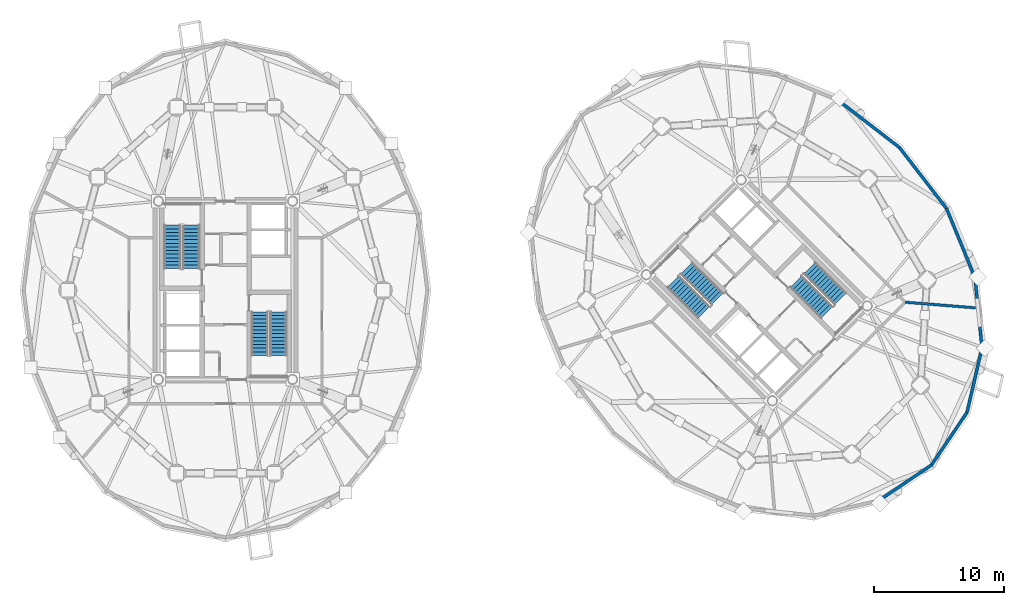
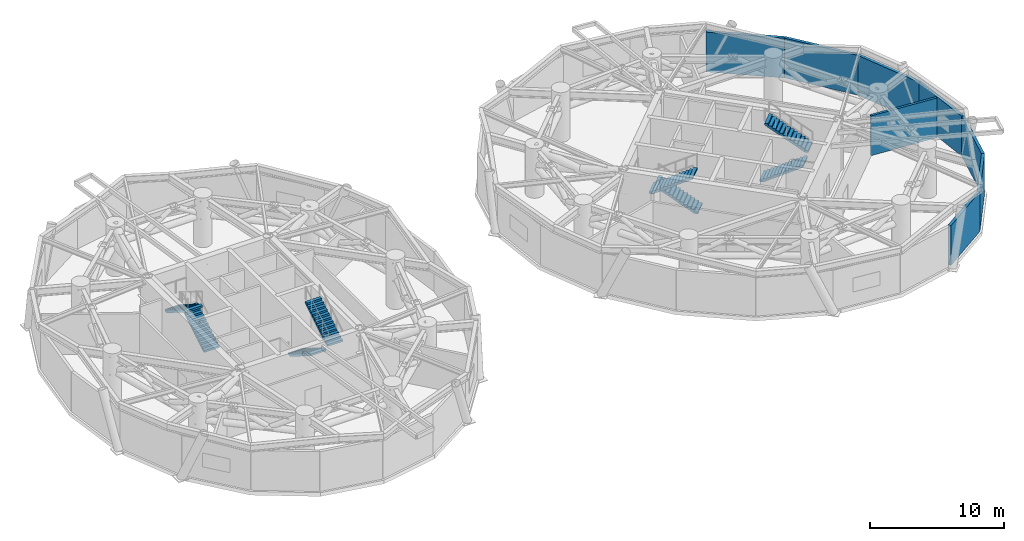
# One storey, part 13 of 16: 8 stair flights, 8 walls, 4 elements without a shape of their own.
"""IFC4 building model written with IfcOpenShell, lengths in metres."""

from ifc_helpers import new_model, si_unit, direction, frame, frame_2d, origin, place, context, subcontext, project, spatial, polyline, rectangle, outline, extrude, material, layer, layer_set, type_object, element, aggregate, save


model = new_model("IFC4")

# Units and contexts
model_context = context("Model", 3, precision=1e-05, world=origin(), true_north=direction((0.0, 1.0)))
body_context = subcontext(model_context, "Body", "Model", "MODEL_VIEW")
ifc_project = project(units=[si_unit("LENGTHUNIT", "METRE"), si_unit("AREAUNIT", "SQUARE_METRE"), si_unit("VOLUMEUNIT", "CUBIC_METRE"), si_unit("PLANEANGLEUNIT", "RADIAN"), si_unit("MASSUNIT", "GRAM", prefix="KILO")], contexts=[model_context])

# Site, building, storey
site_placement = place(None, origin())
site = spatial("IfcSite", under=ifc_project, at=site_placement, CompositionType="ELEMENT")
building_placement = place(site_placement, origin())
building = spatial("IfcBuilding", under=site, at=building_placement, Name="Cununo Teusaquillo Station Towers", CompositionType="ELEMENT")
storey_placement = place(building_placement, frame((0.0, 0.0, 65.64990234375)))
storey = spatial("IfcBuildingStorey", under=building, at=storey_placement, Name="L20", CompositionType="ELEMENT", Elevation=65.64990234375)

# Walls
ifc_material_1 = material(Name="Precast concrete C40/50", Category="concrete")
ifc_layer_1 = layer(ifc_material_1, 0.239990234375)
ifc_layer_set_1 = layer_set([ifc_layer_1], Name="Precast concrete C40/50")
wall_type_1 = type_object("IfcWallType", Name="WL-EXT-240", PredefinedType="SOLIDWALL", material=ifc_layer_set_1)
wall_1_placement = place(storey_placement, frame((63.811279296875, 39.145263671875, 0.0), z_axis=(0.0, 0.0, 1.0), x_axis=(0.791982052206, -0.61054437102, 0.0)))
element("IfcWall", 1, at=wall_1_placement, inside=storey, type_object=wall_type_1, Name="L20 Tower B Exterior Facade Wall C00", PredefinedType="SOLIDWALL", context=body_context, shape_type="SweptSolid", body=[
    extrude(rectangle(XDim=5.942138671875, YDim=0.239990234375, at=frame_2d((2.97119140625, 0.0))), origin(), (0.0, 0.0, 1.0), 3.6162109375),
])
for number, where, z_axis, x_axis, name in (
    (2, (70.984619140625, 11.015380859375, 0.0), (0.0, 0.0, 1.0), (-0.828781148131, -0.559572880421, 0.0), "L20 Tower B Exterior Facade Wall C14"),
    (3, (73.72900390625, 15.080078125, 0.0), (0.0, 0.0, 1.0), (-0.559572880421, -0.828781148131, 0.0), "L20 Tower B Exterior Facade Wall C15"),
):
    element("IfcWall", number, at=place(storey_placement, frame(where, z_axis=z_axis, x_axis=x_axis)), inside=storey, type_object=wall_type_1, Name=name, PredefinedType="SOLIDWALL", context=body_context, shape_type="SweptSolid", body=[
        extrude(rectangle(XDim=4.904541015625, YDim=0.239990234375, at=frame_2d((2.4521484375, 0.0))), origin(), (0.0, 0.0, 1.0), 3.6162109375),
    ])
wall_2_placement = place(storey_placement, frame((74.885009765625, 20.066650390625, 0.0), z_axis=(0.0, 0.0, 1.0), x_axis=(-0.225834725257, -0.974165631126, 0.0)))
element("IfcWall", 4, at=wall_2_placement, inside=storey, type_object=wall_type_1, Name="L20 Tower B Exterior Facade Wall C16", PredefinedType="SOLIDWALL", context=body_context, shape_type="SweptSolid", body=[
    extrude(rectangle(XDim=5.118896484375, YDim=0.239990234375, at=frame_2d((2.5595703125, 0.0))), origin(), (0.0, 0.0, 1.0), 3.6162109375),
])
wall_3_placement = place(storey_placement, frame((74.33935546875, 25.4873046875, 0.0), z_axis=(0.0, 0.0, 1.0), x_axis=(0.10015591906, -0.994971754311, 0.0)))
element("IfcWall", 5, at=wall_3_placement, inside=storey, type_object=wall_type_1, Name="L20 Tower B Exterior Facade Wall C17", PredefinedType="SOLIDWALL", context=body_context, shape_type="SweptSolid", body=[
    extrude(rectangle(XDim=5.447998046875, YDim=0.239990234375, at=frame_2d((2.72412109375, 0.0))), origin(), (0.0, 0.0, 1.0), 3.6162109375),
])
wall_4_placement = place(storey_placement, frame((72.145263671875, 30.811279296875, 0.0), z_axis=(0.0, 0.0, 1.0), x_axis=(0.381027003055, -0.924563909604, 0.0)))
element("IfcWall", 6, at=wall_4_placement, inside=storey, type_object=wall_type_1, Name="L20 Tower B Exterior Facade Wall C18", PredefinedType="SOLIDWALL", context=body_context, shape_type="SweptSolid", body=[
    extrude(rectangle(XDim=5.75830078125, YDim=0.239990234375, at=frame_2d((2.879150390625, 0.0))), origin(), (0.0, 0.0, 1.0), 3.6162109375),
])
wall_5_placement = place(storey_placement, frame((68.517333984375, 35.517333984375, 0.0), z_axis=(0.0, 0.0, 1.0), x_axis=(0.61054437102, -0.791982052206, 0.0)))
element("IfcWall", 7, at=wall_5_placement, inside=storey, type_object=wall_type_1, Name="L20 Tower B Exterior Facade Wall C19", PredefinedType="SOLIDWALL", context=body_context, shape_type="SweptSolid", body=[
    extrude(rectangle(XDim=5.942138671875, YDim=0.239990234375, at=frame_2d((2.97119140625, 0.0))), origin(), (0.0, 0.0, 1.0), 3.6162109375),
])
ifc_material_2 = material(Name="Fire-rated gypsum plasterboard partition assembly", Category="gypsum")
ifc_layer_2 = layer(ifc_material_2, 0.199951171875)
ifc_layer_set_2 = layer_set([ifc_layer_2], Name="Fire-rated gypsum plasterboard partition assembly")
wall_type_2 = type_object("IfcWallType", Name="WL-PART-200", PredefinedType="PARTITIONING", material=ifc_layer_set_2)
wall_6_placement = place(storey_placement, frame((68.955078125, 23.580810546875, 0.0), z_axis=(0.0, 0.0, 1.0), x_axis=(0.996796412899, -0.079980692863, 0.0)))
element("IfcWall", 8, at=wall_6_placement, inside=storey, type_object=wall_type_2, Name="L20 Tower B Compartment Radial Fire Wall Q3", PredefinedType="PARTITIONING", context=body_context, shape_type="SweptSolid", body=[
    extrude(rectangle(XDim=5.439453125, YDim=0.199951171875, at=frame_2d((2.7197265625, 0.0))), origin(), (0.0, 0.0, 1.0), 3.6162109375),
])

# Stair, stair flights
ifc_material_3 = material(Name="Concrete C50/60", Category="concrete")
stair_type = type_object("IfcStairType", Name="ST-TWR-1300", PredefinedType="HALF_TURN_STAIR", material=ifc_material_3)
stair_1_placement = place(storey_placement, origin())
stair_1 = element("IfcStair", 9, at=stair_1_placement, inside=storey, type_object=stair_type, Name="L20 Tower A Protected Core Exit Stair 1", PredefinedType="HALF_TURN_STAIR")
ifc_material_4 = material(Name="Concrete C50/60", Category="concrete")
stair_flight_type = type_object("IfcStairFlightType", Name="SFL-TWR-1300", PredefinedType="STRAIGHT", material=ifc_material_4)
stair_flight_1_placement = place(storey_placement, frame((13.8701171875, 26.169921875, 0.0), z_axis=(0.0, 0.0, 1.0), x_axis=(0.0, 1.0, 0.0)))
stair_flight_1 = element("IfcStairFlight", 10, at=stair_flight_1_placement, type_object=stair_flight_type, Name="ST-T1-1 flight 1", NumberOfRisers=13, NumberOfTreads=12, PredefinedType="STRAIGHT", RiserHeight=0.173076923, TreadLength=0.28, context=body_context, shape_type="SweptSolid", body=[
    extrude(outline(polyline([(0.0, 0.0), (0.0, 0.173095703125), (0.280029296875, 0.173095703125), (0.280029296875, 0.34619140625), (0.56005859375, 0.34619140625), (0.56005859375, 0.519287109375), (0.840087890625, 0.519287109375), (0.840087890625, 0.6923828125), (1.1201171875, 0.6923828125), (1.1201171875, 0.865478515625), (1.39990234375, 0.865478515625), (1.39990234375, 1.03857421875), (1.679931640625, 1.03857421875), (1.679931640625, 1.21142578125), (1.9599609375, 1.21142578125), (1.9599609375, 1.384521484375), (2.239990234375, 1.384521484375), (2.239990234375, 1.5576171875), (2.52001953125, 1.5576171875), (2.52001953125, 1.730712890625), (2.800048828125, 1.730712890625), (2.800048828125, 1.90380859375), (3.080078125, 1.90380859375), (3.080078125, 2.076904296875), (3.360107421875, 2.076904296875), (3.360107421875, 2.25), (3.360107421875, 1.900634765625), (0.28515625, 0.0), (0.0, 0.0)])), frame((0.0, 0.64990234375, 0.0), z_axis=(0.0, -1.0, 0.0), x_axis=(1.0, 0.0, 0.0)), (0.0, 0.0, 1.0), 1.300048828125),
])
stair_flight_2_placement = place(storey_placement, frame((12.409912109375, 29.530029296875, 2.25), z_axis=(0.0, 0.0, 1.0), x_axis=(0.0, -1.0, 0.0)))
stair_flight_2 = element("IfcStairFlight", 11, at=stair_flight_2_placement, type_object=stair_flight_type, Name="ST-T1-1 flight 2", NumberOfRisers=13, NumberOfTreads=12, PredefinedType="STRAIGHT", RiserHeight=0.173076923, TreadLength=0.28, context=body_context, shape_type="SweptSolid", body=[
    extrude(outline(polyline([(0.0, 0.0), (0.0, 0.173095703125), (0.280029296875, 0.173095703125), (0.280029296875, 0.34619140625), (0.56005859375, 0.34619140625), (0.56005859375, 0.519287109375), (0.840087890625, 0.519287109375), (0.840087890625, 0.6923828125), (1.1201171875, 0.6923828125), (1.1201171875, 0.865478515625), (1.39990234375, 0.865478515625), (1.39990234375, 1.03857421875), (1.679931640625, 1.03857421875), (1.679931640625, 1.21142578125), (1.9599609375, 1.21142578125), (1.9599609375, 1.384521484375), (2.239990234375, 1.384521484375), (2.239990234375, 1.5576171875), (2.52001953125, 1.5576171875), (2.52001953125, 1.730712890625), (2.800048828125, 1.730712890625), (2.800048828125, 1.90380859375), (3.080078125, 1.90380859375), (3.080078125, 2.076904296875), (3.360107421875, 2.076904296875), (3.360107421875, 2.25), (3.360107421875, 1.900634765625), (0.28515625, 0.0), (0.0, 0.0)])), frame((0.0, 0.64990234375, 0.0), z_axis=(0.0, -1.0, 0.0), x_axis=(1.0, 0.0, 0.0)), (0.0, 0.0, 1.0), 1.300048828125),
])
aggregate(stair_1, [stair_flight_1, stair_flight_2])

stair_2_placement = place(storey_placement, origin())
stair_2 = element("IfcStair", 12, at=stair_2_placement, inside=storey, type_object=stair_type, Name="L20 Tower A Protected Core Exit Stair 2", PredefinedType="HALF_TURN_STAIR")
stair_flight_3_placement = place(storey_placement, frame((19.1298828125, 22.830078125, 0.0), z_axis=(0.0, 0.0, 1.0), x_axis=(0.0, -1.0, 0.0)))
stair_flight_3 = element("IfcStairFlight", 13, at=stair_flight_3_placement, type_object=stair_flight_type, Name="ST-T1-2 flight 1", NumberOfRisers=13, NumberOfTreads=12, PredefinedType="STRAIGHT", RiserHeight=0.173076923, TreadLength=0.28, context=body_context, shape_type="SweptSolid", body=[
    extrude(outline(polyline([(0.0, 0.0), (0.0, 0.173095703125), (0.280029296875, 0.173095703125), (0.280029296875, 0.34619140625), (0.56005859375, 0.34619140625), (0.56005859375, 0.519287109375), (0.840087890625, 0.519287109375), (0.840087890625, 0.6923828125), (1.1201171875, 0.6923828125), (1.1201171875, 0.865478515625), (1.39990234375, 0.865478515625), (1.39990234375, 1.03857421875), (1.679931640625, 1.03857421875), (1.679931640625, 1.21142578125), (1.9599609375, 1.21142578125), (1.9599609375, 1.384521484375), (2.239990234375, 1.384521484375), (2.239990234375, 1.5576171875), (2.52001953125, 1.5576171875), (2.52001953125, 1.730712890625), (2.800048828125, 1.730712890625), (2.800048828125, 1.90380859375), (3.080078125, 1.90380859375), (3.080078125, 2.076904296875), (3.360107421875, 2.076904296875), (3.360107421875, 2.25), (3.360107421875, 1.900634765625), (0.28515625, 0.0), (0.0, 0.0)])), frame((0.0, 0.64990234375, 0.0), z_axis=(0.0, -1.0, 0.0), x_axis=(1.0, 0.0, 0.0)), (0.0, 0.0, 1.0), 1.300048828125),
])
stair_flight_4_placement = place(storey_placement, frame((20.590087890625, 19.469970703125, 2.25), z_axis=(0.0, 0.0, 1.0), x_axis=(0.0, 1.0, 0.0)))
stair_flight_4 = element("IfcStairFlight", 14, at=stair_flight_4_placement, type_object=stair_flight_type, Name="ST-T1-2 flight 2", NumberOfRisers=13, NumberOfTreads=12, PredefinedType="STRAIGHT", RiserHeight=0.173076923, TreadLength=0.28, context=body_context, shape_type="SweptSolid", body=[
    extrude(outline(polyline([(0.0, 0.0), (0.0, 0.173095703125), (0.280029296875, 0.173095703125), (0.280029296875, 0.34619140625), (0.56005859375, 0.34619140625), (0.56005859375, 0.519287109375), (0.840087890625, 0.519287109375), (0.840087890625, 0.6923828125), (1.1201171875, 0.6923828125), (1.1201171875, 0.865478515625), (1.39990234375, 0.865478515625), (1.39990234375, 1.03857421875), (1.679931640625, 1.03857421875), (1.679931640625, 1.21142578125), (1.9599609375, 1.21142578125), (1.9599609375, 1.384521484375), (2.239990234375, 1.384521484375), (2.239990234375, 1.5576171875), (2.52001953125, 1.5576171875), (2.52001953125, 1.730712890625), (2.800048828125, 1.730712890625), (2.800048828125, 1.90380859375), (3.080078125, 1.90380859375), (3.080078125, 2.076904296875), (3.360107421875, 2.076904296875), (3.360107421875, 2.25), (3.360107421875, 1.900634765625), (0.28515625, 0.0), (0.0, 0.0)])), frame((0.0, 0.64990234375, 0.0), z_axis=(0.0, -1.0, 0.0), x_axis=(1.0, 0.0, 0.0)), (0.0, 0.0, 1.0), 1.300048828125),
])
aggregate(stair_2, [stair_flight_3, stair_flight_4])

stair_3_placement = place(storey_placement, origin())
stair_3 = element("IfcStair", 15, at=stair_3_placement, inside=storey, type_object=stair_type, Name="L20 Tower B Protected Core Exit Stair 1", PredefinedType="HALF_TURN_STAIR")
stair_flight_5_placement = place(storey_placement, frame((54.45947265625, 23.8212890625, 0.0), z_axis=(0.0, 0.0, 1.0), x_axis=(-0.707106781187, 0.707106781187, 0.0)))
stair_flight_5 = element("IfcStairFlight", 16, at=stair_flight_5_placement, type_object=stair_flight_type, Name="ST-T2-1 flight 1", NumberOfRisers=13, NumberOfTreads=12, PredefinedType="STRAIGHT", RiserHeight=0.173076923, TreadLength=0.28, context=body_context, shape_type="SweptSolid", body=[
    extrude(outline(polyline([(0.0, 0.0), (0.0, 0.173095703125), (0.280029296875, 0.173095703125), (0.280029296875, 0.34619140625), (0.56005859375, 0.34619140625), (0.56005859375, 0.519287109375), (0.840087890625, 0.519287109375), (0.840087890625, 0.6923828125), (1.1201171875, 0.6923828125), (1.1201171875, 0.865478515625), (1.39990234375, 0.865478515625), (1.39990234375, 1.03857421875), (1.679931640625, 1.03857421875), (1.679931640625, 1.21142578125), (1.9599609375, 1.21142578125), (1.9599609375, 1.384521484375), (2.239990234375, 1.384521484375), (2.239990234375, 1.5576171875), (2.52001953125, 1.5576171875), (2.52001953125, 1.730712890625), (2.800048828125, 1.730712890625), (2.800048828125, 1.90380859375), (3.080078125, 1.90380859375), (3.080078125, 2.076904296875), (3.360107421875, 2.076904296875), (3.360107421875, 2.25), (3.360107421875, 1.900634765625), (0.28515625, 0.0), (0.0, 0.0)])), frame((0.0, 0.64990234375, 0.0), z_axis=(0.0, -1.0, 0.0), x_axis=(1.0, 0.0, 0.0)), (0.0, 0.0, 1.0), 1.300048828125),
])
stair_flight_6_placement = place(storey_placement, frame((51.05126953125, 25.164794921875, 2.25), z_axis=(0.0, 0.0, 1.0), x_axis=(0.707106781187, -0.707106781187, 0.0)))
stair_flight_6 = element("IfcStairFlight", 17, at=stair_flight_6_placement, type_object=stair_flight_type, Name="ST-T2-1 flight 2", NumberOfRisers=13, NumberOfTreads=12, PredefinedType="STRAIGHT", RiserHeight=0.173076923, TreadLength=0.28, context=body_context, shape_type="SweptSolid", body=[
    extrude(outline(polyline([(0.0, 0.0), (0.0, 0.173095703125), (0.280029296875, 0.173095703125), (0.280029296875, 0.34619140625), (0.56005859375, 0.34619140625), (0.56005859375, 0.519287109375), (0.840087890625, 0.519287109375), (0.840087890625, 0.6923828125), (1.1201171875, 0.6923828125), (1.1201171875, 0.865478515625), (1.39990234375, 0.865478515625), (1.39990234375, 1.03857421875), (1.679931640625, 1.03857421875), (1.679931640625, 1.21142578125), (1.9599609375, 1.21142578125), (1.9599609375, 1.384521484375), (2.239990234375, 1.384521484375), (2.239990234375, 1.5576171875), (2.52001953125, 1.5576171875), (2.52001953125, 1.730712890625), (2.800048828125, 1.730712890625), (2.800048828125, 1.90380859375), (3.080078125, 1.90380859375), (3.080078125, 2.076904296875), (3.360107421875, 2.076904296875), (3.360107421875, 2.25), (3.360107421875, 1.900634765625), (0.28515625, 0.0), (0.0, 0.0)])), frame((0.0, 0.64990234375, 0.0), z_axis=(0.0, -1.0, 0.0), x_axis=(1.0, 0.0, 0.0)), (0.0, 0.0, 1.0), 1.300048828125),
])
aggregate(stair_3, [stair_flight_5, stair_flight_6])

stair_4_placement = place(storey_placement, origin())
stair_4 = element("IfcStair", 18, at=stair_4_placement, inside=storey, type_object=stair_type, Name="L20 Tower B Protected Core Exit Stair 2", PredefinedType="HALF_TURN_STAIR")
stair_flight_7_placement = place(storey_placement, frame((60.54052734375, 25.1787109375, 0.0), z_axis=(0.0, 0.0, 1.0), x_axis=(0.707106781187, -0.707106781187, 0.0)))
stair_flight_7 = element("IfcStairFlight", 19, at=stair_flight_7_placement, type_object=stair_flight_type, Name="ST-T2-2 flight 1", NumberOfRisers=13, NumberOfTreads=12, PredefinedType="STRAIGHT", RiserHeight=0.173076923, TreadLength=0.28, context=body_context, shape_type="SweptSolid", body=[
    extrude(outline(polyline([(0.0, 0.0), (0.0, 0.173095703125), (0.280029296875, 0.173095703125), (0.280029296875, 0.34619140625), (0.56005859375, 0.34619140625), (0.56005859375, 0.519287109375), (0.840087890625, 0.519287109375), (0.840087890625, 0.6923828125), (1.1201171875, 0.6923828125), (1.1201171875, 0.865478515625), (1.39990234375, 0.865478515625), (1.39990234375, 1.03857421875), (1.679931640625, 1.03857421875), (1.679931640625, 1.21142578125), (1.9599609375, 1.21142578125), (1.9599609375, 1.384521484375), (2.239990234375, 1.384521484375), (2.239990234375, 1.5576171875), (2.52001953125, 1.5576171875), (2.52001953125, 1.730712890625), (2.800048828125, 1.730712890625), (2.800048828125, 1.90380859375), (3.080078125, 1.90380859375), (3.080078125, 2.076904296875), (3.360107421875, 2.076904296875), (3.360107421875, 2.25), (3.360107421875, 1.900634765625), (0.28515625, 0.0), (0.0, 0.0)])), frame((0.0, 0.64990234375, 0.0), z_axis=(0.0, -1.0, 0.0), x_axis=(1.0, 0.0, 0.0)), (0.0, 0.0, 1.0), 1.300048828125),
])
stair_flight_8_placement = place(storey_placement, frame((63.94873046875, 23.835205078125, 2.25), z_axis=(0.0, 0.0, 1.0), x_axis=(-0.707106781187, 0.707106781187, 0.0)))
stair_flight_8 = element("IfcStairFlight", 20, at=stair_flight_8_placement, type_object=stair_flight_type, Name="ST-T2-2 flight 2", NumberOfRisers=13, NumberOfTreads=12, PredefinedType="STRAIGHT", RiserHeight=0.173076923, TreadLength=0.28, context=body_context, shape_type="SweptSolid", body=[
    extrude(outline(polyline([(0.0, 0.0), (0.0, 0.173095703125), (0.280029296875, 0.173095703125), (0.280029296875, 0.34619140625), (0.56005859375, 0.34619140625), (0.56005859375, 0.519287109375), (0.840087890625, 0.519287109375), (0.840087890625, 0.6923828125), (1.1201171875, 0.6923828125), (1.1201171875, 0.865478515625), (1.39990234375, 0.865478515625), (1.39990234375, 1.03857421875), (1.679931640625, 1.03857421875), (1.679931640625, 1.21142578125), (1.9599609375, 1.21142578125), (1.9599609375, 1.384521484375), (2.239990234375, 1.384521484375), (2.239990234375, 1.5576171875), (2.52001953125, 1.5576171875), (2.52001953125, 1.730712890625), (2.800048828125, 1.730712890625), (2.800048828125, 1.90380859375), (3.080078125, 1.90380859375), (3.080078125, 2.076904296875), (3.360107421875, 2.076904296875), (3.360107421875, 2.25), (3.360107421875, 1.900634765625), (0.28515625, 0.0), (0.0, 0.0)])), frame((0.0, 0.64990234375, 0.0), z_axis=(0.0, -1.0, 0.0), x_axis=(1.0, 0.0, 0.0)), (0.0, 0.0, 1.0), 1.300048828125),
])
aggregate(stair_4, [stair_flight_7, stair_flight_8])

save(model, "model.ifc")
